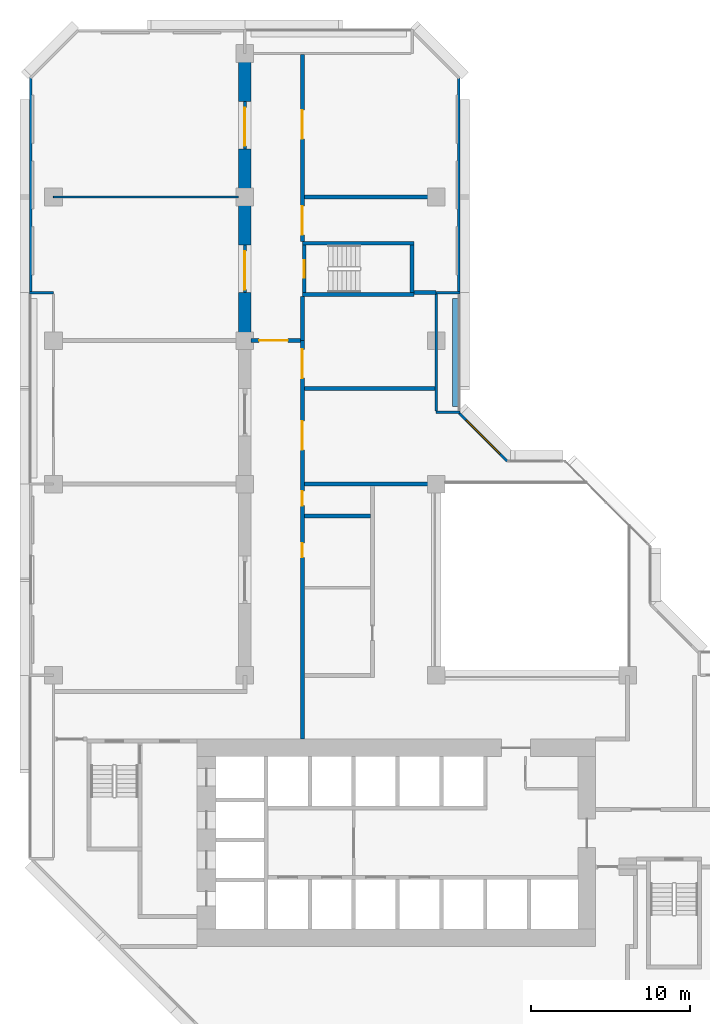
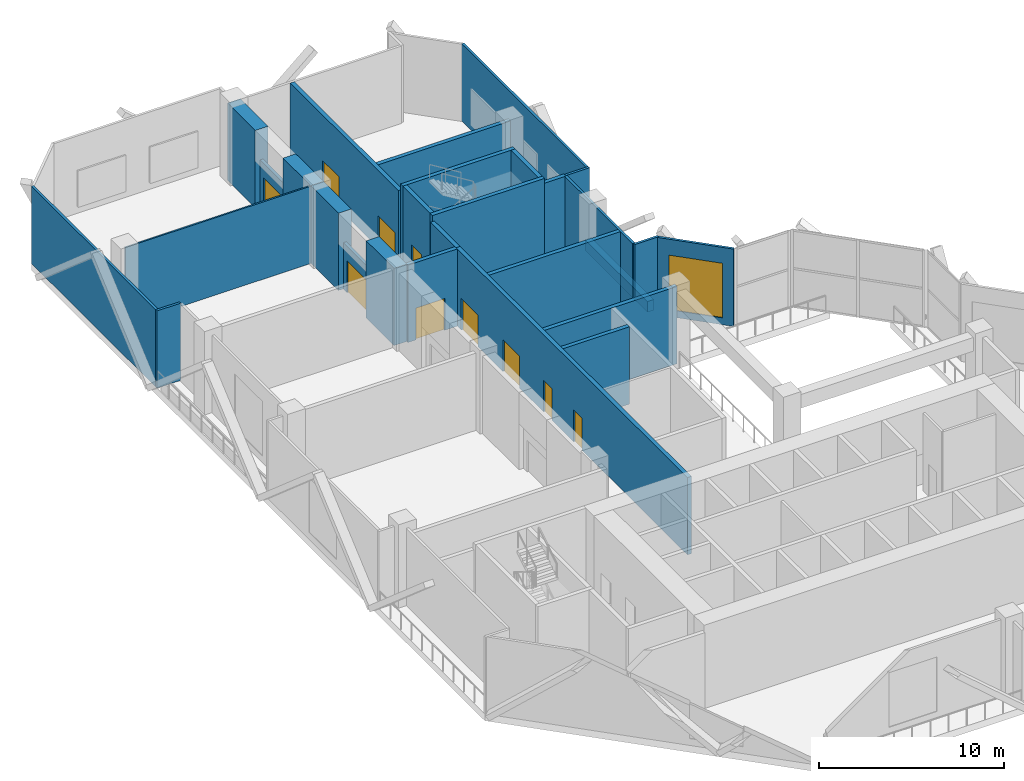
# One storey, part 9 of 14: 28 walls, 10 doors, 1 window, 11 openings.
"""IFC4 building model written with IfcOpenShell, lengths in metres."""

from ifc_helpers import new_model, si_unit, direction, frame, frame_2d, origin, place, context, subcontext, project, spatial, rectangle, extrude, material, layer, layer_set, type_object, element, fill, save


model = new_model("IFC4")

# Units and contexts
model_context = context("Model", 3, precision=1e-05, world=origin(), true_north=direction((0.0, 1.0)))
body_context = subcontext(model_context, "Body", "Model", "MODEL_VIEW")
ifc_project = project(units=[si_unit("LENGTHUNIT", "METRE"), si_unit("AREAUNIT", "SQUARE_METRE"), si_unit("VOLUMEUNIT", "CUBIC_METRE"), si_unit("PLANEANGLEUNIT", "RADIAN"), si_unit("MASSUNIT", "GRAM", prefix="KILO")], contexts=[model_context])

# Site, building, storey
site_placement = place(None, origin())
site = spatial("IfcSite", under=ifc_project, at=site_placement, CompositionType="ELEMENT")
building_placement = place(site_placement, origin())
building = spatial("IfcBuilding", under=site, at=building_placement, Name="Chenar Terraces", CompositionType="ELEMENT")
storey_placement = place(building_placement, frame((0.0, 0.0, 86.39990234375)))
storey = spatial("IfcBuildingStorey", under=building, at=storey_placement, Name="L19", CompositionType="ELEMENT", Elevation=86.39990234375)

# Walls
ifc_material_1 = material(Name="Concrete C70/85", Category="concrete")
ifc_layer_1 = layer(ifc_material_1, 0.800048828125)
ifc_layer_set_1 = layer_set([ifc_layer_1], Name="Concrete C70/85")
wall_type_1 = type_object("IfcWallType", Name="Belt wall 800 Concrete C70/85", PredefinedType="SHEAR", material=ifc_layer_set_1)
for number, where, z_axis, x_axis, name in (
    (1, (12.0, 45.0, 0.0), (0.0, 0.0, 1.0), (0.0, 1.0, 0.0), "Belt wall L19 B3"),
    (2, (12.0, 51.0, 0.0), (0.0, 0.0, 1.0), (0.0, 1.0, 0.0), "Belt wall L19 B3"),
    (3, (12.0, 54.0, 0.0), (0.0, 0.0, 1.0), (0.0, 1.0, 0.0), "Belt wall L19 B4"),
    (4, (12.0, 60.0, 0.0), (0.0, 0.0, 1.0), (0.0, 1.0, 0.0), "Belt wall L19 B4"),
):
    element("IfcWall", number, at=place(storey_placement, frame(where, z_axis=z_axis, x_axis=x_axis)), inside=storey, type_object=wall_type_1, Name=name, PredefinedType="SHEAR", context=body_context, shape_type="SweptSolid", body=[
        extrude(rectangle(XDim=3.0, YDim=0.800048828125, at=frame_2d((1.5, 0.0))), origin(), (0.0, 0.0, 1.0), 5.10009765625),
    ])
ifc_material_2 = material(Name="Concrete C70/85", Category="concrete")
ifc_layer_2 = layer(ifc_material_2, 0.25)
ifc_layer_set_2 = layer_set([ifc_layer_2], Name="Concrete C70/85")
wall_type_2 = type_object("IfcWallType", Name="Core wall 250 Concrete C70/85", PredefinedType="SHEAR", material=ifc_layer_set_2)
for number, where, z_axis, x_axis, name in (
    (5, (15.60009765625, 47.89990234375, 0.0), (0.0, 0.0, 1.0), (1.0, 0.0, 0.0), "Core wall ST4_S L19"),
    (6, (15.60009765625, 51.10009765625, 0.0), (0.0, 0.0, 1.0), (1.0, 0.0, 0.0), "Core wall ST4_N L19"),
):
    element("IfcWall", number, at=place(storey_placement, frame(where, z_axis=z_axis, x_axis=x_axis)), inside=storey, type_object=wall_type_2, Name=name, PredefinedType="SHEAR", context=body_context, shape_type="SweptSolid", body=[
        extrude(rectangle(XDim=7.0, YDim=0.25, at=frame_2d((3.5, 0.0))), origin(), (0.0, 0.0, 1.0), 5.5),
    ])

# Wall, opening, door
wall_1_placement = place(storey_placement, frame((15.72509765625, 48.02490234375, 0.0), z_axis=(0.0, 0.0, 1.0), x_axis=(0.0, 1.0, 0.0)))
wall_1 = element("IfcWall", 7, at=wall_1_placement, inside=storey, type_object=wall_type_2, Name="Core wall ST4_W L19", PredefinedType="SHEAR", context=body_context, shape_type="SweptSolid", body=[
    extrude(rectangle(XDim=2.9501953125, YDim=0.25, at=frame_2d((1.47509765625, 0.0))), origin(), (0.0, 0.0, 1.0), 5.5),
])
opening_1_placement = place(wall_1_placement, frame((0.925048828125, 0.0, 0.0)))
opening_1 = element("IfcOpeningElement", 8, at=opening_1_placement, cuts=wall_1, Name="Opening DL19-C9", PredefinedType="OPENING", context=body_context, shape_type="SweptSolid", body=[
    extrude(rectangle(XDim=1.10009765625, YDim=2.199951171875, at=frame_2d((0.550048828125, 1.10009765625))), frame((0.0, 0.135009765625, 0.0), z_axis=(0.0, -1.0, 0.0), x_axis=(1.0, 0.0, 0.0)), (0.0, 0.0, 1.0), 0.27001953125),
])
ifc_material_3 = material(Name="Steel-framed fire-resisting door leaf", Category="steel")
door_type_1 = type_object("IfcDoorType", Name="Stair fire door FD60 1100 x 2200", OperationType="SINGLE_SWING_LEFT", PredefinedType="DOOR", material=ifc_material_3)
door_1_placement = place(opening_1_placement, frame((1.10009765625, 0.0, 0.0), z_axis=(0.0, 0.0, 1.0), x_axis=(-1.0, 0.0, 0.0)))
door_1 = element("IfcDoor", 9, at=door_1_placement, inside=storey, type_object=door_type_1, Name="Stair door DL19-C9", OperationType="SINGLE_SWING_RIGHT", OverallHeight=2.199951171875, OverallWidth=1.10009765625, PredefinedType="DOOR", context=body_context, shape_type="SweptSolid", body=[
    extrude(rectangle(XDim=1.10009765625, YDim=2.199951171875, at=frame_2d((0.550048828125, 1.10009765625))), frame((0.0, 0.02490234375, 0.0), z_axis=(0.0, -1.0, 0.0), x_axis=(1.0, 0.0, 0.0)), (0.0, 0.0, 1.0), 0.050048828125),
])
fill(opening_1, door_1)

# Wall
wall_2_placement = place(storey_placement, frame((22.47509765625, 48.02490234375, 0.0), z_axis=(0.0, 0.0, 1.0), x_axis=(0.0, 1.0, 0.0)))
element("IfcWall", 10, at=wall_2_placement, inside=storey, type_object=wall_type_2, Name="Core wall ST4_E L19", PredefinedType="SHEAR", context=body_context, shape_type="SweptSolid", body=[
    extrude(rectangle(XDim=2.9501953125, YDim=0.25, at=frame_2d((1.47509765625, 0.0))), origin(), (0.0, 0.0, 1.0), 5.5),
])

# Wall, opening, door
ifc_material_4 = material(Name="Gypsum board on steel studs with fire boards", Category="steel")
ifc_layer_3 = layer(ifc_material_4, 0.199951171875)
ifc_layer_set_3 = layer_set([ifc_layer_3], Name="Gypsum board on steel studs with fire boards")
wall_type_3 = type_object("IfcWallType", Name="Corridor wall 200", PredefinedType="PARTITIONING", material=ifc_layer_set_3)
wall_3_placement = place(storey_placement, frame((12.0, 47.9990234375, 0.0), z_axis=(0.0, 0.0, 1.0), x_axis=(0.0, 1.0, 0.0)))
wall_3 = element("IfcWall", 11, at=wall_3_placement, inside=storey, type_object=wall_type_3, Name="Partition L19-010", PredefinedType="PARTITIONING", context=body_context, shape_type="SweptSolid", body=[
    extrude(rectangle(XDim=3.001953125, YDim=0.199951171875, at=frame_2d((1.5009765625, 0.0))), origin(), (0.0, 0.0, 1.0), 3.050048828125),
])
opening_2_placement = place(wall_3_placement, frame((0.200927734375, 0.0, 0.0)))
opening_2 = element("IfcOpeningElement", 12, at=opening_2_placement, cuts=wall_3, Name="Opening DL19-15", PredefinedType="OPENING", context=body_context, shape_type="SweptSolid", body=[
    extrude(rectangle(XDim=2.39990234375, YDim=2.10009765625, at=frame_2d((1.199951171875, 1.050048828125))), frame((0.0, 0.10986328125, 0.0), z_axis=(0.0, -1.0, 0.0), x_axis=(1.0, 0.0, 0.0)), (0.0, 0.0, 1.0), 0.219970703125),
])
ifc_material_5 = material(Name="Steel-framed fire-resisting door leaf", Category="steel")
door_type_2 = type_object("IfcDoorType", Name="Fire double door FD60 2400 x 2100", OperationType="DOUBLE_DOOR_SINGLE_SWING", PredefinedType="DOOR", material=ifc_material_5)
door_2_placement = place(opening_2_placement, origin())
door_2 = element("IfcDoor", 13, at=door_2_placement, inside=storey, type_object=door_type_2, Name="Door DL19-15", OperationType="DOUBLE_DOOR_SINGLE_SWING", OverallHeight=2.10009765625, OverallWidth=2.39990234375, PredefinedType="DOOR", context=body_context, shape_type="SweptSolid", body=[
    extrude(rectangle(XDim=2.39990234375, YDim=2.10009765625, at=frame_2d((1.199951171875, 1.050048828125))), frame((0.0, 0.02490234375, 0.0), z_axis=(0.0, -1.0, 0.0), x_axis=(1.0, 0.0, 0.0)), (0.0, 0.0, 1.0), 0.050048828125),
])
fill(opening_2, door_2)

wall_4_placement = place(storey_placement, frame((12.0, 56.9990234375, 0.0), z_axis=(0.0, 0.0, 1.0), x_axis=(0.0, 1.0, 0.0)))
wall_4 = element("IfcWall", 14, at=wall_4_placement, inside=storey, type_object=wall_type_3, Name="Partition L19-011", PredefinedType="PARTITIONING", context=body_context, shape_type="SweptSolid", body=[
    extrude(rectangle(XDim=3.001953125, YDim=0.199951171875, at=frame_2d((1.5009765625, 0.0))), origin(), (0.0, 0.0, 1.0), 3.050048828125),
])
opening_3_placement = place(wall_4_placement, frame((0.200927734375, 0.0, 0.0)))
opening_3 = element("IfcOpeningElement", 15, at=opening_3_placement, cuts=wall_4, Name="Opening DL19-16", PredefinedType="OPENING", context=body_context, shape_type="SweptSolid", body=[
    extrude(rectangle(XDim=2.39990234375, YDim=2.10009765625, at=frame_2d((1.199951171875, 1.050048828125))), frame((0.0, 0.10986328125, 0.0), z_axis=(0.0, -1.0, 0.0), x_axis=(1.0, 0.0, 0.0)), (0.0, 0.0, 1.0), 0.219970703125),
])
door_3_placement = place(opening_3_placement, origin())
door_3 = element("IfcDoor", 16, at=door_3_placement, inside=storey, type_object=door_type_2, Name="Door DL19-16", OperationType="DOUBLE_DOOR_SINGLE_SWING", OverallHeight=2.10009765625, OverallWidth=2.39990234375, PredefinedType="DOOR", context=body_context, shape_type="SweptSolid", body=[
    extrude(rectangle(XDim=2.39990234375, YDim=2.10009765625, at=frame_2d((1.199951171875, 1.050048828125))), frame((0.0, 0.02490234375, 0.0), z_axis=(0.0, -1.0, 0.0), x_axis=(1.0, 0.0, 0.0)), (0.0, 0.0, 1.0), 0.050048828125),
])
fill(opening_3, door_3)

# Walls
ifc_material_6 = material(Name="Aluminium framed glazing", Category="aluminium")
ifc_layer_4 = layer(ifc_material_6, 0.14990234375)
ifc_layer_set_4 = layer_set([ifc_layer_4], Name="Aluminium framed glazing")
wall_type_4 = type_object("IfcWallType", Name="Glazed flush facade wall 150", PredefinedType="SOLIDWALL", material=ifc_layer_set_4)
for number, where, z_axis, x_axis, name in (
    (17, (25.425048828125, 48.074951171875, 0.0), (0.0, 0.0, 1.0), (0.0, 1.0, 0.0), "Glazed flush facade wall"),
    (18, (-1.425048828125, 61.5, 0.0), (0.0, 0.0, 1.0), (0.0, -1.0, 0.0), "Glazed flush facade wall"),
):
    element("IfcWall", number, at=place(storey_placement, frame(where, z_axis=z_axis, x_axis=x_axis)), inside=storey, type_object=wall_type_4, Name=name, PredefinedType="SOLIDWALL", context=body_context, shape_type="SweptSolid", body=[
        extrude(rectangle(XDim=13.425048828125, YDim=0.14990234375, at=frame_2d((6.71240234375, 0.0))), origin(), (0.0, 0.0, 1.0), 5.10009765625),
    ])
ifc_material_7 = material(Name="Aluminium framed glazing", Category="aluminium")
ifc_layer_5 = layer(ifc_material_7, 0.14990234375)
ifc_layer_set_5 = layer_set([ifc_layer_5], Name="Aluminium framed glazing")
wall_type_5 = type_object("IfcWallType", Name="Glazed loggia back wall 150", PredefinedType="SOLIDWALL", material=ifc_layer_set_5)
wall_5_placement = place(storey_placement, frame((24.0, 40.574951171875, 0.0), z_axis=(0.0, 0.0, 1.0), x_axis=(0.0, 1.0, 0.0)))
element("IfcWall", 19, at=wall_5_placement, inside=storey, type_object=wall_type_5, Name="Glazed loggia back wall", PredefinedType="SOLIDWALL", context=body_context, shape_type="SweptSolid", body=[
    extrude(rectangle(XDim=7.35009765625, YDim=0.14990234375, at=frame_2d((3.675048828125, 0.0))), origin(), (0.0, 0.0, 1.0), 5.10009765625),
])
ifc_material_8 = material(Name="Gypsum board on steel studs", Category="steel")
ifc_layer_6 = layer(ifc_material_8, 0.10009765625)
ifc_layer_set_6 = layer_set([ifc_layer_6], Name="Gypsum board on steel studs")
wall_type_6 = type_object("IfcWallType", Name="Gypsum partition 100", PredefinedType="PARTITIONING", material=ifc_layer_set_6)
wall_6_placement = place(storey_placement, frame((0.0, 54.0, 0.0), z_axis=(0.0, 0.0, 1.0), x_axis=(1.0, 0.0, 0.0)))
element("IfcWall", 20, at=wall_6_placement, inside=storey, type_object=wall_type_6, Name="Partition L19-002", PredefinedType="PARTITIONING", context=body_context, shape_type="SweptSolid", body=[
    extrude(rectangle(XDim=11.60107421875, YDim=0.10009765625, at=frame_2d((5.800537109375, 0.0))), origin(), (0.0, 0.0, 1.0), 5.10009765625),
])
ifc_material_9 = material(Name="Terracotta cladding on insulated backing", Category="masonry")
ifc_layer_7 = layer(ifc_material_9, 0.14990234375)
ifc_layer_set_7 = layer_set([ifc_layer_7], Name="Terracotta cladding on insulated backing")
wall_type_7 = type_object("IfcWallType", Name="Loggia return wall 150", PredefinedType="SOLIDWALL", material=ifc_layer_set_7)
for number, where, z_axis, x_axis, name in (
    (21, (25.5, 40.5, 0.0), (0.0, 0.0, 1.0), (-1.0, 0.0, 0.0), "Loggia return wall"),
    (22, (25.5, 48.0, 0.0), (0.0, 0.0, 1.0), (-1.0, 0.0, 0.0), "Loggia return wall"),
    (23, (-1.5, 48.0, 0.0), (0.0, 0.0, 1.0), (1.0, 0.0, 0.0), "Loggia return wall"),
):
    element("IfcWall", number, at=place(storey_placement, frame(where, z_axis=z_axis, x_axis=x_axis)), inside=storey, type_object=wall_type_7, Name=name, PredefinedType="SOLIDWALL", context=body_context, shape_type="SweptSolid", body=[
        extrude(rectangle(XDim=1.5, YDim=0.14990234375, at=frame_2d((0.75, 0.0))), origin(), (0.0, 0.0, 1.0), 5.10009765625),
    ])
ifc_material_10 = material(Name="Fire-board and steel stud wall with mineral wool", Category="steel")
ifc_layer_8 = layer(ifc_material_10, 0.25)
ifc_layer_set_8 = layer_set([ifc_layer_8], Name="Fire-board and steel stud wall with mineral wool")
wall_type_8 = type_object("IfcWallType", Name="Plant room wall 250", PredefinedType="PARTITIONING", material=ifc_layer_set_8)
wall_7_placement = place(storey_placement, frame((15.60009765625, 45.0, 0.0), z_axis=(0.0, 0.0, 1.0), x_axis=(0.0, 1.0, 0.0)))
element("IfcWall", 24, at=wall_7_placement, inside=storey, type_object=wall_type_8, Name="Partition L19-014", PredefinedType="PARTITIONING", context=body_context, shape_type="SweptSolid", body=[
    extrude(rectangle(XDim=2.77490234375, YDim=0.25, at=frame_2d((1.387451171875, 0.0))), origin(), (0.0, 0.0, 1.0), 5.10009765625),
])

# Wall, openings, doors
wall_8_placement = place(storey_placement, frame((15.60009765625, 51.22509765625, 0.0), z_axis=(0.0, 0.0, 1.0), x_axis=(0.0, 1.0, 0.0)))
wall_8 = element("IfcWall", 25, at=wall_8_placement, inside=storey, type_object=wall_type_8, Name="Partition L19-015", PredefinedType="PARTITIONING", context=body_context, shape_type="SweptSolid", body=[
    extrude(rectangle(XDim=11.700927734375, YDim=0.25, at=frame_2d((5.8505859375, 0.0))), origin(), (0.0, 0.0, 1.0), 5.10009765625),
])
opening_4_placement = place(wall_8_placement, frame((0.39990234375, 0.0, 0.0)))
opening_4 = element("IfcOpeningElement", 26, at=opening_4_placement, cuts=wall_8, Name="Opening DL19-11", PredefinedType="OPENING", context=body_context, shape_type="SweptSolid", body=[
    extrude(rectangle(XDim=1.800048828125, YDim=2.10009765625, at=frame_2d((0.89990234375, 1.050048828125))), frame((0.0, 0.135009765625, 0.0), z_axis=(0.0, -1.0, 0.0), x_axis=(1.0, 0.0, 0.0)), (0.0, 0.0, 1.0), 0.27001953125),
])
opening_5_placement = place(wall_8_placement, frame((6.425048828125, 0.0, 0.0)))
opening_5 = element("IfcOpeningElement", 27, at=opening_5_placement, cuts=wall_8, Name="Opening DL19-12", PredefinedType="OPENING", context=body_context, shape_type="SweptSolid", body=[
    extrude(rectangle(XDim=1.800048828125, YDim=2.10009765625, at=frame_2d((0.89990234375, 1.050048828125))), frame((0.0, 0.135009765625, 0.0), z_axis=(0.0, -1.0, 0.0), x_axis=(1.0, 0.0, 0.0)), (0.0, 0.0, 1.0), 0.27001953125),
])
ifc_material_11 = material(Name="Steel-framed fire-resisting door leaf", Category="steel")
door_type_3 = type_object("IfcDoorType", Name="Fire double door FD120 1800 x 2100", OperationType="DOUBLE_DOOR_SINGLE_SWING", PredefinedType="DOOR", material=ifc_material_11)
door_4_placement = place(opening_4_placement, frame((1.800048828125, 0.0, 0.0), z_axis=(0.0, 0.0, 1.0), x_axis=(-1.0, 0.0, 0.0)))
door_4 = element("IfcDoor", 28, at=door_4_placement, inside=storey, type_object=door_type_3, Name="Door DL19-11", OperationType="DOUBLE_DOOR_SINGLE_SWING", OverallHeight=2.10009765625, OverallWidth=1.800048828125, PredefinedType="DOOR", context=body_context, shape_type="SweptSolid", body=[
    extrude(rectangle(XDim=1.800048828125, YDim=2.10009765625, at=frame_2d((0.89990234375, 1.050048828125))), frame((0.0, 0.02490234375, 0.0), z_axis=(0.0, -1.0, 0.0), x_axis=(1.0, 0.0, 0.0)), (0.0, 0.0, 1.0), 0.050048828125),
])
fill(opening_4, door_4)
door_5_placement = place(opening_5_placement, frame((1.800048828125, 0.0, 0.0), z_axis=(0.0, 0.0, 1.0), x_axis=(-1.0, 0.0, 0.0)))
door_5 = element("IfcDoor", 29, at=door_5_placement, inside=storey, type_object=door_type_3, Name="Door DL19-12", OperationType="DOUBLE_DOOR_SINGLE_SWING", OverallHeight=2.10009765625, OverallWidth=1.800048828125, PredefinedType="DOOR", context=body_context, shape_type="SweptSolid", body=[
    extrude(rectangle(XDim=1.800048828125, YDim=2.10009765625, at=frame_2d((0.89990234375, 1.050048828125))), frame((0.0, 0.02490234375, 0.0), z_axis=(0.0, -1.0, 0.0), x_axis=(1.0, 0.0, 0.0)), (0.0, 0.0, 1.0), 0.050048828125),
])
fill(opening_5, door_5)

# Walls
wall_9_placement = place(storey_placement, frame((15.72509765625, 54.0, 0.0), z_axis=(0.0, 0.0, 1.0), x_axis=(1.0, 0.0, 0.0)))
element("IfcWall", 30, at=wall_9_placement, inside=storey, type_object=wall_type_8, Name="Partition L19-021", PredefinedType="PARTITIONING", context=body_context, shape_type="SweptSolid", body=[
    extrude(rectangle(XDim=8.27490234375, YDim=0.25, at=frame_2d((4.137451171875, 0.0))), origin(), (0.0, 0.0, 1.0), 5.10009765625),
])
wall_10_placement = place(storey_placement, frame((22.60009765625, 48.0, 0.0), z_axis=(0.0, 0.0, 1.0), x_axis=(1.0, 0.0, 0.0)))
element("IfcWall", 31, at=wall_10_placement, inside=storey, type_object=wall_type_8, Name="Partition L19-023", PredefinedType="PARTITIONING", context=body_context, shape_type="SweptSolid", body=[
    extrude(rectangle(XDim=1.39990234375, YDim=0.25, at=frame_2d((0.699951171875, 0.0))), origin(), (0.0, 0.0, 1.0), 5.10009765625),
])

# Wall, opening, door
ifc_material_12 = material(Name="Fire-board and steel stud wall with mineral wool", Category="steel")
ifc_layer_9 = layer(ifc_material_12, 0.25)
ifc_layer_set_9 = layer_set([ifc_layer_9], Name="Fire-board and steel stud wall with mineral wool")
wall_type_9 = type_object("IfcWallType", Name="Refuge compartment wall 250", PredefinedType="PARTITIONING", material=ifc_layer_set_9)
wall_11_placement = place(storey_placement, frame((12.39892578125, 45.0, 0.0), z_axis=(0.0, 0.0, 1.0), x_axis=(1.0, 0.0, 0.0)))
wall_11 = element("IfcWall", 32, at=wall_11_placement, inside=storey, type_object=wall_type_9, Name="Partition L19-012", PredefinedType="PARTITIONING", context=body_context, shape_type="SweptSolid", body=[
    extrude(rectangle(XDim=3.076171875, YDim=0.25, at=frame_2d((1.5380859375, 0.0))), origin(), (0.0, 0.0, 1.0), 5.10009765625),
])
opening_6_placement = place(wall_11_placement, frame((0.5009765625, 0.0, 0.0)))
opening_6 = element("IfcOpeningElement", 33, at=opening_6_placement, cuts=wall_11, Name="Opening DL19-20", PredefinedType="OPENING", context=body_context, shape_type="SweptSolid", body=[
    extrude(rectangle(XDim=1.800048828125, YDim=2.10009765625, at=frame_2d((0.89990234375, 1.050048828125))), frame((0.0, 0.135009765625, 0.0), z_axis=(0.0, -1.0, 0.0), x_axis=(1.0, 0.0, 0.0)), (0.0, 0.0, 1.0), 0.27001953125),
])
door_6_placement = place(opening_6_placement, frame((1.800048828125, 0.0, 0.0), z_axis=(0.0, 0.0, 1.0), x_axis=(-1.0, 0.0, 0.0)))
door_6 = element("IfcDoor", 34, at=door_6_placement, inside=storey, type_object=door_type_3, Name="Door DL19-20", OperationType="DOUBLE_DOOR_SINGLE_SWING", OverallHeight=2.10009765625, OverallWidth=1.800048828125, PredefinedType="DOOR", context=body_context, shape_type="SweptSolid", body=[
    extrude(rectangle(XDim=1.800048828125, YDim=2.10009765625, at=frame_2d((0.89990234375, 1.050048828125))), frame((0.0, 0.02490234375, 0.0), z_axis=(0.0, -1.0, 0.0), x_axis=(1.0, 0.0, 0.0)), (0.0, 0.0, 1.0), 0.050048828125),
])
fill(opening_6, door_6)

# Wall, openings, doors
wall_12_placement = place(storey_placement, frame((15.60009765625, 20.0, 0.0), z_axis=(0.0, 0.0, 1.0), x_axis=(0.0, 1.0, 0.0)))
wall_12 = element("IfcWall", 35, at=wall_12_placement, inside=storey, type_object=wall_type_9, Name="Partition L19-013", PredefinedType="PARTITIONING", context=body_context, shape_type="SweptSolid", body=[
    extrude(rectangle(XDim=25.0, YDim=0.25, at=frame_2d((12.5, 0.0))), origin(), (0.0, 0.0, 1.0), 5.10009765625),
])
opening_7_placement = place(wall_12_placement, frame((18.14990234375, 0.0, 0.0)))
opening_7 = element("IfcOpeningElement", 36, at=opening_7_placement, cuts=wall_12, Name="Opening DL19-9", PredefinedType="OPENING", context=body_context, shape_type="SweptSolid", body=[
    extrude(rectangle(XDim=1.800048828125, YDim=2.10009765625, at=frame_2d((0.89990234375, 1.050048828125))), frame((0.0, 0.135009765625, 0.0), z_axis=(0.0, -1.0, 0.0), x_axis=(1.0, 0.0, 0.0)), (0.0, 0.0, 1.0), 0.27001953125),
])
opening_8_placement = place(wall_12_placement, frame((22.64990234375, 0.0, 0.0)))
opening_8 = element("IfcOpeningElement", 37, at=opening_8_placement, cuts=wall_12, Name="Opening DL19-10", PredefinedType="OPENING", context=body_context, shape_type="SweptSolid", body=[
    extrude(rectangle(XDim=1.800048828125, YDim=2.10009765625, at=frame_2d((0.89990234375, 1.050048828125))), frame((0.0, 0.135009765625, 0.0), z_axis=(0.0, -1.0, 0.0), x_axis=(1.0, 0.0, 0.0)), (0.0, 0.0, 1.0), 0.27001953125),
])
opening_9_placement = place(wall_12_placement, frame((14.64990234375, 0.0, 0.0)))
opening_9 = element("IfcOpeningElement", 38, at=opening_9_placement, cuts=wall_12, Name="Opening DL19-17", PredefinedType="OPENING", context=body_context, shape_type="SweptSolid", body=[
    extrude(rectangle(XDim=0.89990234375, YDim=2.10009765625, at=frame_2d((0.449951171875, 1.050048828125))), frame((0.0, 0.135009765625, 0.0), z_axis=(0.0, -1.0, 0.0), x_axis=(1.0, 0.0, 0.0)), (0.0, 0.0, 1.0), 0.27001953125),
])
opening_10_placement = place(wall_12_placement, frame((11.39990234375, 0.0, 0.0)))
opening_10 = element("IfcOpeningElement", 39, at=opening_10_placement, cuts=wall_12, Name="Opening DL19-21", PredefinedType="OPENING", context=body_context, shape_type="SweptSolid", body=[
    extrude(rectangle(XDim=0.89990234375, YDim=2.10009765625, at=frame_2d((0.449951171875, 1.050048828125))), frame((0.0, 0.135009765625, 0.0), z_axis=(0.0, -1.0, 0.0), x_axis=(1.0, 0.0, 0.0)), (0.0, 0.0, 1.0), 0.27001953125),
])
ifc_material_13 = material(Name="Steel-framed fire-resisting door leaf", Category="steel")
door_type_4 = type_object("IfcDoorType", Name="Fire door FD120 900 x 2100", OperationType="SINGLE_SWING_LEFT", PredefinedType="DOOR", material=ifc_material_13)
door_7_placement = place(opening_9_placement, frame((0.89990234375, 0.0, 0.0), z_axis=(0.0, 0.0, 1.0), x_axis=(-1.0, 0.0, 0.0)))
door_7 = element("IfcDoor", 40, at=door_7_placement, inside=storey, type_object=door_type_4, Name="Door DL19-17", OperationType="SINGLE_SWING_LEFT", OverallHeight=2.10009765625, OverallWidth=0.89990234375, PredefinedType="DOOR", context=body_context, shape_type="SweptSolid", body=[
    extrude(rectangle(XDim=0.89990234375, YDim=2.10009765625, at=frame_2d((0.449951171875, 1.050048828125))), frame((0.0, 0.02490234375, 0.0), z_axis=(0.0, -1.0, 0.0), x_axis=(1.0, 0.0, 0.0)), (0.0, 0.0, 1.0), 0.050048828125),
])
fill(opening_9, door_7)
door_8_placement = place(opening_10_placement, frame((0.89990234375, 0.0, 0.0), z_axis=(0.0, 0.0, 1.0), x_axis=(-1.0, 0.0, 0.0)))
door_8 = element("IfcDoor", 41, at=door_8_placement, inside=storey, type_object=door_type_4, Name="Door DL19-21", OperationType="SINGLE_SWING_LEFT", OverallHeight=2.10009765625, OverallWidth=0.89990234375, PredefinedType="DOOR", context=body_context, shape_type="SweptSolid", body=[
    extrude(rectangle(XDim=0.89990234375, YDim=2.10009765625, at=frame_2d((0.449951171875, 1.050048828125))), frame((0.0, 0.02490234375, 0.0), z_axis=(0.0, -1.0, 0.0), x_axis=(1.0, 0.0, 0.0)), (0.0, 0.0, 1.0), 0.050048828125),
])
fill(opening_10, door_8)
door_9_placement = place(opening_7_placement, frame((1.800048828125, 0.0, 0.0), z_axis=(0.0, 0.0, 1.0), x_axis=(-1.0, 0.0, 0.0)))
door_9 = element("IfcDoor", 42, at=door_9_placement, inside=storey, type_object=door_type_3, Name="Door DL19-9", OperationType="DOUBLE_DOOR_SINGLE_SWING", OverallHeight=2.10009765625, OverallWidth=1.800048828125, PredefinedType="DOOR", context=body_context, shape_type="SweptSolid", body=[
    extrude(rectangle(XDim=1.800048828125, YDim=2.10009765625, at=frame_2d((0.89990234375, 1.050048828125))), frame((0.0, 0.02490234375, 0.0), z_axis=(0.0, -1.0, 0.0), x_axis=(1.0, 0.0, 0.0)), (0.0, 0.0, 1.0), 0.050048828125),
])
fill(opening_7, door_9)
door_10_placement = place(opening_8_placement, frame((1.800048828125, 0.0, 0.0), z_axis=(0.0, 0.0, 1.0), x_axis=(-1.0, 0.0, 0.0)))
door_10 = element("IfcDoor", 43, at=door_10_placement, inside=storey, type_object=door_type_3, Name="Door DL19-10", OperationType="DOUBLE_DOOR_SINGLE_SWING", OverallHeight=2.10009765625, OverallWidth=1.800048828125, PredefinedType="DOOR", context=body_context, shape_type="SweptSolid", body=[
    extrude(rectangle(XDim=1.800048828125, YDim=2.10009765625, at=frame_2d((0.89990234375, 1.050048828125))), frame((0.0, 0.02490234375, 0.0), z_axis=(0.0, -1.0, 0.0), x_axis=(1.0, 0.0, 0.0)), (0.0, 0.0, 1.0), 0.050048828125),
])
fill(opening_8, door_10)

# Walls
wall_13_placement = place(storey_placement, frame((15.72509765625, 34.0, 0.0), z_axis=(0.0, 0.0, 1.0), x_axis=(1.0, 0.0, 0.0)))
element("IfcWall", 44, at=wall_13_placement, inside=storey, type_object=wall_type_9, Name="Partition L19-018", PredefinedType="PARTITIONING", context=body_context, shape_type="SweptSolid", body=[
    extrude(rectangle(XDim=4.14990234375, YDim=0.25, at=frame_2d((2.074951171875, 0.0))), origin(), (0.0, 0.0, 1.0), 5.10009765625),
])
wall_14_placement = place(storey_placement, frame((15.72509765625, 36.0, 0.0), z_axis=(0.0, 0.0, 1.0), x_axis=(1.0, 0.0, 0.0)))
element("IfcWall", 45, at=wall_14_placement, inside=storey, type_object=wall_type_9, Name="Partition L19-019", PredefinedType="PARTITIONING", context=body_context, shape_type="SweptSolid", body=[
    extrude(rectangle(XDim=8.27490234375, YDim=0.25, at=frame_2d((4.137451171875, 0.0))), origin(), (0.0, 0.0, 1.0), 5.10009765625),
])
wall_15_placement = place(storey_placement, frame((15.72509765625, 42.0, 0.0), z_axis=(0.0, 0.0, 1.0), x_axis=(1.0, 0.0, 0.0)))
element("IfcWall", 46, at=wall_15_placement, inside=storey, type_object=wall_type_9, Name="Partition L19-020", PredefinedType="PARTITIONING", context=body_context, shape_type="SweptSolid", body=[
    extrude(rectangle(XDim=8.200927734375, YDim=0.25, at=frame_2d((4.1005859375, 0.0))), origin(), (0.0, 0.0, 1.0), 5.10009765625),
])

# Wall, opening, window
ifc_material_14 = material(Name="Terracotta cladding on insulated backing", Category="masonry")
ifc_layer_10 = layer(ifc_material_14, 0.14990234375)
ifc_layer_set_10 = layer_set([ifc_layer_10], Name="Terracotta cladding on insulated backing")
wall_type_10 = type_object("IfcWallType", Name="Terracotta rainscreen wall 150", PredefinedType="SOLIDWALL", material=ifc_layer_set_10)
wall_16_placement = place(storey_placement, frame((28.447021484375, 37.447021484375, 0.0), z_axis=(0.0, 0.0, 1.0), x_axis=(-0.707106781187, 0.707106781187, 0.0)))
wall_16 = element("IfcWall", 47, at=wall_16_placement, inside=storey, type_object=wall_type_10, Name="Terracotta rainscreen wall", PredefinedType="SOLIDWALL", context=body_context, shape_type="SweptSolid", body=[
    extrude(rectangle(XDim=4.24267578125, YDim=0.14990234375, at=frame_2d((2.121337890625, 0.0))), origin(), (0.0, 0.0, 1.0), 5.10009765625),
])
opening_11_placement = place(wall_16_placement, frame((0.621337890625, 0.0, 0.449951171875)))
opening_11 = element("IfcOpeningElement", 48, at=opening_11_placement, cuts=wall_16, Name="Opening W300x360", PredefinedType="OPENING", context=body_context, shape_type="SweptSolid", body=[
    extrude(rectangle(XDim=3.0, YDim=3.60009765625, at=frame_2d((1.5, 1.800048828125))), frame((0.0, 0.0849609375, 0.0), z_axis=(0.0, -1.0, 0.0), x_axis=(1.0, 0.0, 0.0)), (0.0, 0.0, 1.0), 0.169921875),
])
ifc_material_15 = material(Name="Low emissivity double glazing, aluminium frame", Category="aluminium")
window_type = type_object("IfcWindowType", Name="Fixed light 3000 x 3600", PartitioningType="SINGLE_PANEL", PredefinedType="WINDOW", material=ifc_material_15)
window_placement = place(opening_11_placement, origin())
window = element("IfcWindow", 49, at=window_placement, inside=storey, type_object=window_type, Name="Window", OverallHeight=3.60009765625, OverallWidth=3.0, PartitioningType="SINGLE_PANEL", PredefinedType="WINDOW", context=body_context, shape_type="SweptSolid", body=[
    extrude(rectangle(XDim=3.0, YDim=3.60009765625, at=frame_2d((1.5, 1.800048828125))), frame((0.0, 0.030029296875, 0.0), z_axis=(0.0, -1.0, 0.0), x_axis=(1.0, 0.0, 0.0)), (0.0, 0.0, 1.0), 0.06005859375),
])
fill(opening_11, window)

# Wall
ifc_material_16 = material(Name="GRP planter trough")
ifc_layer_11 = layer(ifc_material_16, 0.39990234375)
ifc_layer_set_11 = layer_set([ifc_layer_11], Name="GRP planter trough")
wall_type_11 = type_object("IfcWallType", Name="Vertical greenery planter 400", PredefinedType="SOLIDWALL", material=ifc_layer_set_11)
wall_17_placement = place(storey_placement, frame((25.22900390625, 40.875, 0.0), z_axis=(0.0, 0.0, 1.0), x_axis=(0.0, 1.0, 0.0)))
element("IfcWall", 50, at=wall_17_placement, inside=storey, type_object=wall_type_11, Name="Vertical greenery planter", PredefinedType="SOLIDWALL", context=body_context, shape_type="SweptSolid", body=[
    extrude(rectangle(XDim=6.75, YDim=0.39990234375, at=frame_2d((3.375, 0.0))), origin(), (0.0, 0.0, 1.0), 0.7001953125),
])

save(model, "model.ifc")
